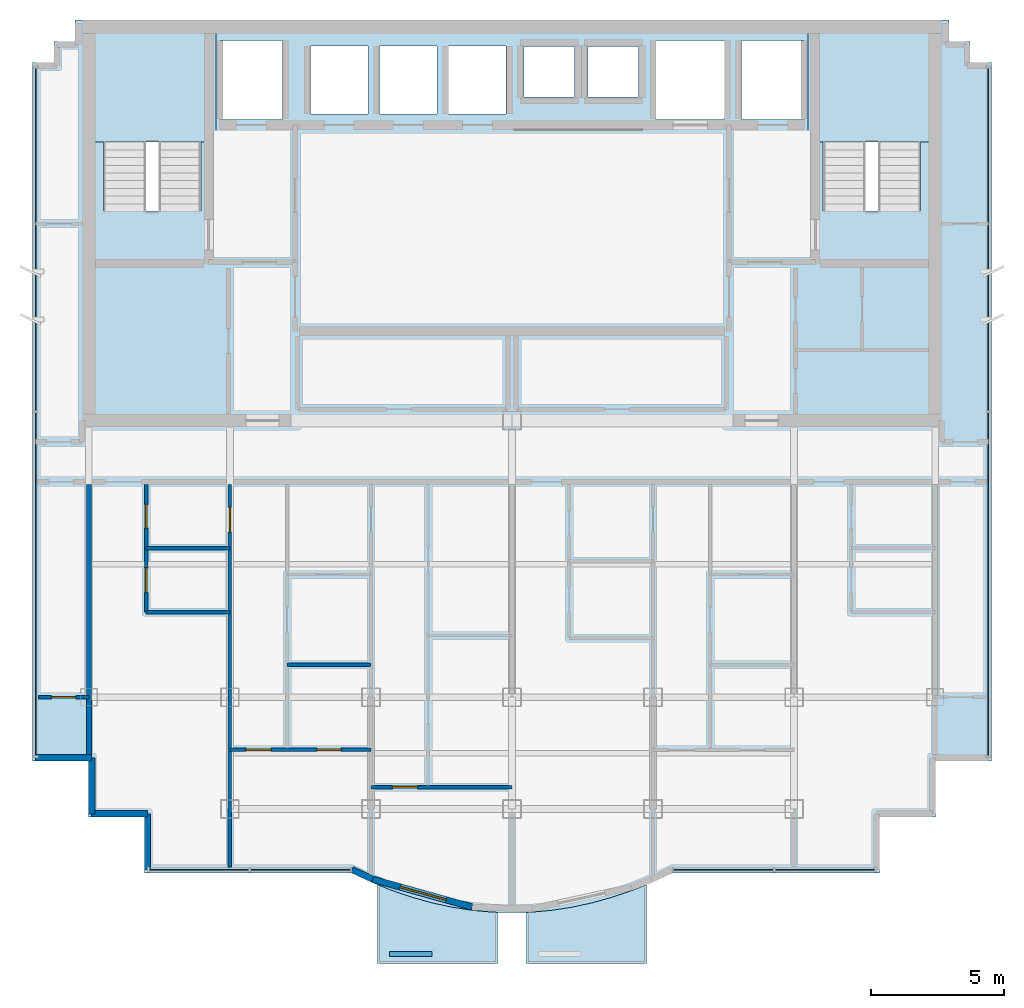
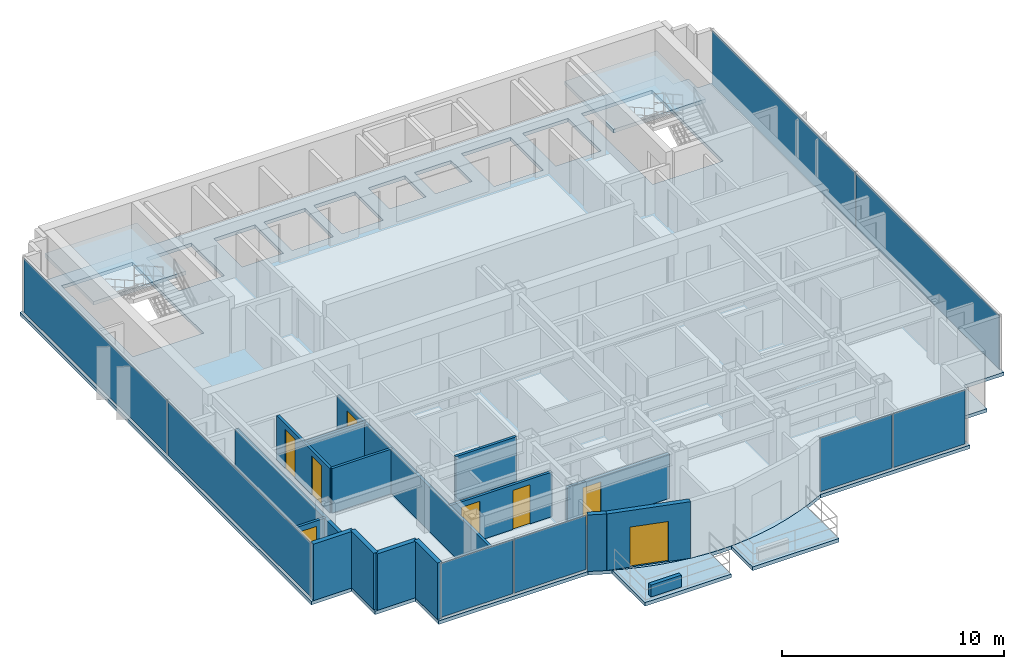
# One storey, part 5 of 11: 16 walls, 8 doors, 8 plates, 5 slabs, 8 openings, 6 elements without a shape of their own.
"""IFC4 building model written with IfcOpenShell, lengths in metres."""

from ifc_helpers import new_model, si_unit, direction, frame, frame_2d, origin, origin_2d, place, context, subcontext, project, spatial, polyline, rectangle, outline, extrude, source, transform, mapped, material, layer, layer_set, type_object, element, fill, aggregate, save


model = new_model("IFC4")

# Units and contexts
model_context = context("Model", 3, precision=1e-05, world=origin(), true_north=direction((0.0, 1.0)))
body_context = subcontext(model_context, "Body", "Model", "MODEL_VIEW")
ifc_project = project(units=[si_unit("LENGTHUNIT", "METRE"), si_unit("AREAUNIT", "SQUARE_METRE"), si_unit("VOLUMEUNIT", "CUBIC_METRE"), si_unit("PLANEANGLEUNIT", "RADIAN"), si_unit("MASSUNIT", "GRAM", prefix="KILO")], contexts=[model_context])

# Site, building, storey
site_placement = place(None, origin())
site = spatial("IfcSite", under=ifc_project, at=site_placement, CompositionType="ELEMENT")
building_placement = place(site_placement, origin())
building = spatial("IfcBuilding", under=site, at=building_placement, Name="Qianlan Lanfeng Residences", CompositionType="ELEMENT")
storey_placement = place(building_placement, frame((0.0, 0.0, 256.10009765625)))
storey = spatial("IfcBuildingStorey", under=building, at=storey_placement, Name="L71", CompositionType="ELEMENT", Elevation=256.10009765625)

# Slabs
ifc_material_1 = material(Name="Concrete C42", Category="concrete")
ifc_layer_1 = layer(ifc_material_1, 0.199951171875)
ifc_layer_set_1 = layer_set([ifc_layer_1], Name="Concrete C42")
slab_type_1 = type_object("IfcSlabType", Name="S-BAL-200", PredefinedType="FLOOR", material=ifc_layer_set_1)
slab_1_placement = place(storey_placement, frame((0.0, 0.0, -0.2001953125)))
element("IfcSlab", 1, at=slab_1_placement, inside=storey, type_object=slab_type_1, Name="L71 Planted Tree Balcony Slab SB-W", PredefinedType="FLOOR", context=body_context, shape_type="SweptSolid", body=[
    extrude(outline(polyline([(25.949951171875, 6.717041015625), (25.7451171875, 6.722900390625), (24.989990234375, 6.7939453125), (24.235107421875, 6.910888671875), (23.47998046875, 7.074951171875), (22.72509765625, 7.285888671875), (21.969970703125, 7.5439453125), (21.449951171875, 7.7529296875), (21.449951171875, 4.800048828125), (25.949951171875, 4.800048828125), (25.949951171875, 6.717041015625)])), origin(), (0.0, 0.0, 1.0), 0.2001953125),
])
slab_2_placement = place(storey_placement, frame((0.0, 0.0, -0.2001953125)))
element("IfcSlab", 2, at=slab_2_placement, inside=storey, type_object=slab_type_1, Name="L71 Planted Tree Balcony Slab SB-E", PredefinedType="FLOOR", context=body_context, shape_type="SweptSolid", body=[
    extrude(outline(polyline([(31.550048828125, 7.7529296875), (31.030029296875, 7.5439453125), (30.27490234375, 7.285888671875), (29.52001953125, 7.074951171875), (28.764892578125, 6.910888671875), (28.010009765625, 6.7939453125), (27.2548828125, 6.722900390625), (27.050048828125, 6.717041015625), (27.050048828125, 4.800048828125), (31.550048828125, 4.800048828125), (31.550048828125, 7.7529296875)])), origin(), (0.0, 0.0, 1.0), 0.2001953125),
])
ifc_layer_2 = layer(ifc_material_1, 0.18994140625)
ifc_layer_set_2 = layer_set([ifc_layer_2], Name="Concrete C42")
slab_type_2 = type_object("IfcSlabType", Name="S-FL-190", PredefinedType="FLOOR", material=ifc_layer_set_2)
slab_3_placement = place(storey_placement, frame((0.0, 0.0, -0.190185546875)))
element("IfcSlab", 3, at=slab_3_placement, inside=storey, type_object=slab_type_2, Name="L71 Structural Floor Slab", PredefinedType="FLOOR", context=body_context, shape_type="SweptSolid", body=[
    extrude(outline(polyline([(8.47998046875, 12.39990234375), (10.580078125, 12.39990234375), (10.580078125, 10.300048828125), (12.679931640625, 10.300048828125), (12.679931640625, 8.199951171875), (20.4599609375, 8.199951171875), (21.215087890625, 7.847900390625), (21.969970703125, 7.5439453125), (22.72509765625, 7.285888671875), (23.47998046875, 7.074951171875), (24.235107421875, 6.910888671875), (24.989990234375, 6.7939453125), (25.7451171875, 6.722900390625), (26.5, 6.699951171875), (27.2548828125, 6.722900390625), (28.010009765625, 6.7939453125), (28.764892578125, 6.910888671875), (29.52001953125, 7.074951171875), (30.27490234375, 7.285888671875), (31.030029296875, 7.5439453125), (31.784912109375, 7.847900390625), (32.5400390625, 8.199951171875), (40.320068359375, 8.199951171875), (40.320068359375, 10.300048828125), (42.419921875, 10.300048828125), (42.419921875, 12.39990234375), (44.52001953125, 12.39990234375), (44.52001953125, 38.64990234375), (43.719970703125, 38.64990234375), (43.719970703125, 39.449951171875), (42.919921875, 39.449951171875), (42.919921875, 40.25), (10.080078125, 40.25), (10.080078125, 39.449951171875), (9.280029296875, 39.449951171875), (9.280029296875, 38.64990234375), (8.47998046875, 38.64990234375), (8.47998046875, 12.39990234375)]), holes=[polyline([(11.139892578125, 33.080078125), (11.139892578125, 39.5), (14.820068359375, 39.5), (14.820068359375, 33.080078125), (11.139892578125, 33.080078125)]), polyline([(38.179931640625, 33.080078125), (38.179931640625, 39.5), (41.860107421875, 39.5), (41.860107421875, 33.080078125), (38.179931640625, 33.080078125)]), polyline([(15.52001953125, 36.52001953125), (15.52001953125, 39.47998046875), (17.8798828125, 39.47998046875), (17.8798828125, 36.52001953125), (15.52001953125, 36.52001953125)]), polyline([(35.1201171875, 36.52001953125), (35.1201171875, 39.47998046875), (37.47998046875, 39.47998046875), (37.47998046875, 36.52001953125), (35.1201171875, 36.52001953125)]), polyline([(31.919921875, 36.52001953125), (31.919921875, 39.47998046875), (34.47998046875, 39.47998046875), (34.47998046875, 36.52001953125), (31.919921875, 36.52001953125)]), polyline([(18.919921875, 36.719970703125), (18.919921875, 39.280029296875), (21.080078125, 39.280029296875), (21.080078125, 36.719970703125), (18.919921875, 36.719970703125)]), polyline([(21.52001953125, 36.719970703125), (21.52001953125, 39.280029296875), (23.679931640625, 39.280029296875), (23.679931640625, 36.719970703125), (21.52001953125, 36.719970703125)]), polyline([(24.1201171875, 36.719970703125), (24.1201171875, 39.280029296875), (26.280029296875, 39.280029296875), (26.280029296875, 36.719970703125), (24.1201171875, 36.719970703125)]), polyline([(26.949951171875, 37.35009765625), (26.949951171875, 39.25), (28.85009765625, 39.25), (28.85009765625, 37.35009765625), (26.949951171875, 37.35009765625)]), polyline([(29.35009765625, 37.35009765625), (29.35009765625, 39.25), (31.25, 39.25), (31.25, 37.35009765625), (29.35009765625, 37.35009765625)])]), origin(), (0.0, 0.0, 1.0), 0.190185546875),
])

# Stair, slab
stair_type = type_object("IfcStairType", Name="STR-MAIN", PredefinedType="HALF_TURN_STAIR", material=ifc_material_1)
stair_1_placement = place(storey_placement, origin())
stair_1 = element("IfcStair", 4, at=stair_1_placement, inside=storey, type_object=stair_type, Name="L71 Exit Stair ST-1", PredefinedType="HALF_TURN_STAIR")
ifc_layer_3 = layer(ifc_material_1, 0.179931640625)
ifc_layer_set_3 = layer_set([ifc_layer_3], Name="Concrete C42")
slab_type_3 = type_object("IfcSlabType", Name="S-LND-180", PredefinedType="LANDING", material=ifc_layer_set_3)
slab_4_placement = place(storey_placement, frame((0.0, 0.0, 1.449951171875)))
slab_4 = element("IfcSlab", 5, at=slab_4_placement, type_object=slab_type_3, Name="ST-1 landing 1", PredefinedType="LANDING", context=body_context, shape_type="SweptSolid", body=[
    extrude(outline(polyline([(10.580078125, 35.659912109375), (15.3798828125, 35.659912109375), (15.3798828125, 40.050048828125), (10.580078125, 40.050048828125), (10.580078125, 35.659912109375)])), origin(), (0.0, 0.0, 1.0), 0.199951171875),
])
aggregate(stair_1, [slab_4])

stair_2_placement = place(storey_placement, origin())
stair_2 = element("IfcStair", 6, at=stair_2_placement, inside=storey, type_object=stair_type, Name="L71 Exit Stair ST-2", PredefinedType="HALF_TURN_STAIR")
slab_5_placement = place(storey_placement, frame((0.0, 0.0, 1.449951171875)))
slab_5 = element("IfcSlab", 7, at=slab_5_placement, type_object=slab_type_3, Name="ST-2 landing 1", PredefinedType="LANDING", context=body_context, shape_type="SweptSolid", body=[
    extrude(outline(polyline([(37.6201171875, 35.659912109375), (42.419921875, 35.659912109375), (42.419921875, 40.050048828125), (37.6201171875, 40.050048828125), (37.6201171875, 35.659912109375)])), origin(), (0.0, 0.0, 1.0), 0.199951171875),
])
aggregate(stair_2, [slab_5])

# Curtain wall, plates
ifc_material_2 = material(Name="Anodised Bronze Aluminium 6063-T6", Category="aluminium")
ifc_layer_4 = layer(ifc_material_2, 0.219970703125)
ifc_layer_set_4 = layer_set([ifc_layer_4], Name="Anodised Bronze Aluminium 6063-T6")
curtain_wall_type = type_object("IfcCurtainWallType", Name="CW-06", PredefinedType="NOTDEFINED", material=ifc_layer_set_4)
curtain_wall_1_placement = place(storey_placement, origin())
curtain_wall_1 = element("IfcCurtainWall", 8, at=curtain_wall_1_placement, inside=storey, type_object=curtain_wall_type, Name="L71 Unitised Curtain Wall CWR-L71-01 (CW-06)", PredefinedType="NOTDEFINED")
ifc_material_3 = material(Name="Dark Bronze Tinted Insulated Glass", Category="glass")
ifc_layer_5 = layer(ifc_material_3, 0.0380859375)
ifc_layer_set_5 = layer_set([ifc_layer_5], Name="Dark Bronze Tinted Insulated Glass")
plate_type_1 = type_object("IfcPlateType", Name="PNL-GLZ-BRZ", PredefinedType="CURTAIN_PANEL", material=ifc_layer_set_5)
shared_shape_1 = source(origin(), body_context, "Body", "SweptSolid", [
    extrude(rectangle(XDim=3.73291015625, YDim=0.0380859375, at=origin_2d()), origin(), (0.0, 0.0, 1.0), 2.9619140625),
])
plate_1_placement = place(storey_placement, frame((14.740478515625, 8.320068359375, 0.073974609375), z_axis=(0.0, 0.0, 1.0), x_axis=(1.0, 0.0, 0.0)))
plate_1 = element("IfcPlate", 9, at=plate_1_placement, type_object=plate_type_1, Name="CWR-L71-01 Curtain Panel 1", PredefinedType="CURTAIN_PANEL", context=body_context, shape_type="MappedRepresentation", body=[
    mapped(shared_shape_1, transform((0.0, 0.0, 0.0), scale=1.0)),
])
plate_2_placement = place(storey_placement, frame((18.54638671875, 8.320068359375, 0.073974609375), z_axis=(0.0, 0.0, 1.0), x_axis=(1.0, 0.0, 0.0)))
plate_2 = element("IfcPlate", 10, at=plate_2_placement, type_object=plate_type_1, Name="CWR-L71-01 Curtain Panel 2", PredefinedType="CURTAIN_PANEL", context=body_context, shape_type="MappedRepresentation", body=[
    mapped(shared_shape_1, transform((0.0, 0.0, 0.0), scale=1.0)),
])
aggregate(curtain_wall_1, [plate_1, plate_2])

curtain_wall_2_placement = place(storey_placement, origin())
curtain_wall_2 = element("IfcCurtainWall", 11, at=curtain_wall_2_placement, inside=storey, type_object=curtain_wall_type, Name="L71 Unitised Curtain Wall CWR-L71-02 (CW-06)", PredefinedType="NOTDEFINED")
plate_3_placement = place(storey_placement, frame((34.45361328125, 8.320068359375, 0.073974609375), z_axis=(0.0, 0.0, 1.0), x_axis=(1.0, 0.0, 0.0)))
plate_3 = element("IfcPlate", 12, at=plate_3_placement, type_object=plate_type_1, Name="CWR-L71-02 Curtain Panel 1", PredefinedType="CURTAIN_PANEL", context=body_context, shape_type="MappedRepresentation", body=[
    mapped(shared_shape_1, transform((0.0, 0.0, 0.0), scale=1.0)),
])
ifc_material_4 = material(Name="Perforated Anodised Bronze Aluminium Panel", Category="aluminium")
ifc_layer_6 = layer(ifc_material_4, 0.0419921875)
ifc_layer_set_6 = layer_set([ifc_layer_6], Name="Perforated Anodised Bronze Aluminium Panel")
plate_type_2 = type_object("IfcPlateType", Name="PNL-PRF-BRZ", PredefinedType="CURTAIN_PANEL", material=ifc_layer_set_6)
shared_shape_2 = source(origin(), body_context, "Body", "SweptSolid", [
    extrude(rectangle(XDim=3.73291015625, YDim=0.0419921875, at=origin_2d()), origin(), (0.0, 0.0, 1.0), 2.9619140625),
])
plate_4_placement = place(storey_placement, frame((38.259521484375, 8.320068359375, 0.073974609375), z_axis=(0.0, 0.0, 1.0), x_axis=(1.0, 0.0, 0.0)))
plate_4 = element("IfcPlate", 13, at=plate_4_placement, type_object=plate_type_2, Name="CWR-L71-02 Curtain Panel 2", PredefinedType="CURTAIN_PANEL", context=body_context, shape_type="MappedRepresentation", body=[
    mapped(shared_shape_2, transform((0.0, 0.0, 0.0), scale=1.0)),
])
aggregate(curtain_wall_2, [plate_3, plate_4])

curtain_wall_3_placement = place(storey_placement, origin())
curtain_wall_3 = element("IfcCurtainWall", 14, at=curtain_wall_3_placement, inside=storey, type_object=curtain_wall_type, Name="L71 Unitised Curtain Wall CWR-L71-03 (CW-06)", PredefinedType="NOTDEFINED")
shared_shape_3 = source(origin(), body_context, "Body", "SweptSolid", [
    extrude(rectangle(XDim=12.89453125, YDim=0.0380859375, at=origin_2d()), origin(), (0.0, 0.0, 1.0), 2.9619140625),
])
plate_5_placement = place(storey_placement, frame((44.39990234375, 19.041259765625, 0.073974609375), z_axis=(0.0, 0.0, 1.0), x_axis=(0.0, 1.0, 0.0)))
plate_5 = element("IfcPlate", 15, at=plate_5_placement, type_object=plate_type_1, Name="CWR-L71-03 Curtain Panel 1", PredefinedType="CURTAIN_PANEL", context=body_context, shape_type="MappedRepresentation", body=[
    mapped(shared_shape_3, transform((0.0, 0.0, 0.0), scale=1.0)),
])
plate_6_placement = place(storey_placement, frame((44.39990234375, 32.0087890625, 0.073974609375), z_axis=(0.0, 0.0, 1.0), x_axis=(0.0, 1.0, 0.0)))
plate_6 = element("IfcPlate", 16, at=plate_6_placement, type_object=plate_type_1, Name="CWR-L71-03 Curtain Panel 2", PredefinedType="CURTAIN_PANEL", context=body_context, shape_type="MappedRepresentation", body=[
    mapped(shared_shape_3, transform((0.0, 0.0, 0.0), scale=1.0)),
])
aggregate(curtain_wall_3, [plate_5, plate_6])

curtain_wall_4_placement = place(storey_placement, origin())
curtain_wall_4 = element("IfcCurtainWall", 17, at=curtain_wall_4_placement, inside=storey, type_object=curtain_wall_type, Name="L71 Unitised Curtain Wall CWR-L71-04 (CW-06)", PredefinedType="NOTDEFINED")
plate_7_placement = place(storey_placement, frame((8.60009765625, 32.0087890625, 0.073974609375), z_axis=(0.0, 0.0, 1.0), x_axis=(0.0, -1.0, 0.0)))
plate_7 = element("IfcPlate", 18, at=plate_7_placement, type_object=plate_type_1, Name="CWR-L71-04 Curtain Panel 1", PredefinedType="CURTAIN_PANEL", context=body_context, shape_type="MappedRepresentation", body=[
    mapped(shared_shape_3, transform((0.0, 0.0, 0.0), scale=1.0)),
])
shared_shape_4 = source(origin(), body_context, "Body", "SweptSolid", [
    extrude(rectangle(XDim=12.89453125, YDim=0.0419921875, at=origin_2d()), origin(), (0.0, 0.0, 1.0), 2.9619140625),
])
plate_8_placement = place(storey_placement, frame((8.60009765625, 19.041259765625, 0.073974609375), z_axis=(0.0, 0.0, 1.0), x_axis=(0.0, -1.0, 0.0)))
plate_8 = element("IfcPlate", 19, at=plate_8_placement, type_object=plate_type_2, Name="CWR-L71-04 Curtain Panel 2", PredefinedType="CURTAIN_PANEL", context=body_context, shape_type="MappedRepresentation", body=[
    mapped(shared_shape_4, transform((0.0, 0.0, 0.0), scale=1.0)),
])
aggregate(curtain_wall_4, [plate_7, plate_8])

# Walls
ifc_layer_7 = layer(ifc_material_1, 0.239990234375)
ifc_layer_set_7 = layer_set([ifc_layer_7], Name="Concrete C42")
wall_type_1 = type_object("IfcWallType", Name="EW-240", PredefinedType="SOLIDWALL", material=ifc_layer_set_7)
wall_1_placement = place(storey_placement, frame((8.60009765625, 12.52001953125, 0.0), z_axis=(0.0, 0.0, 1.0), x_axis=(1.0, 0.0, 0.0)))
element("IfcWall", 20, at=wall_1_placement, inside=storey, type_object=wall_type_1, Name="L71 Exterior Facade Spandrel Wall 1", PredefinedType="SOLIDWALL", context=body_context, shape_type="SweptSolid", body=[
    extrude(rectangle(XDim=2.099853515625, YDim=0.239990234375, at=frame_2d((1.0498046875, 0.0))), origin(), (0.0, 0.0, 1.0), 3.10986328125),
])
for number, where, z_axis, x_axis, name in (
    (21, (10.699951171875, 12.52001953125, 0.0), (0.0, 0.0, 1.0), (0.0, -1.0, 0.0), "L71 Exterior Facade Spandrel Wall 2"),
    (22, (10.699951171875, 10.419921875, 0.0), (0.0, 0.0, 1.0), (1.0, 0.0, 0.0), "L71 Exterior Facade Spandrel Wall 3"),
):
    element("IfcWall", number, at=place(storey_placement, frame(where, z_axis=z_axis, x_axis=x_axis)), inside=storey, type_object=wall_type_1, Name=name, PredefinedType="SOLIDWALL", context=body_context, shape_type="SweptSolid", body=[
        extrude(rectangle(XDim=2.10009765625, YDim=0.239990234375, at=frame_2d((1.050048828125, 0.0))), origin(), (0.0, 0.0, 1.0), 3.10986328125),
    ])
wall_2_placement = place(storey_placement, frame((12.800048828125, 10.419921875, 0.0), z_axis=(0.0, 0.0, 1.0), x_axis=(0.0, -1.0, 0.0)))
element("IfcWall", 23, at=wall_2_placement, inside=storey, type_object=wall_type_1, Name="L71 Exterior Facade Spandrel Wall 4", PredefinedType="SOLIDWALL", context=body_context, shape_type="SweptSolid", body=[
    extrude(rectangle(XDim=2.099853515625, YDim=0.239990234375, at=frame_2d((1.0498046875, 0.0))), origin(), (0.0, 0.0, 1.0), 3.10986328125),
])
wall_3_placement = place(storey_placement, frame((20.487060546875, 8.320068359375, 0.0), z_axis=(0.0, 0.0, 1.0), x_axis=(0.906190424584, -0.422869855147, 0.0)))
element("IfcWall", 24, at=wall_3_placement, inside=storey, type_object=wall_type_1, Name="L71 Exterior Facade Spandrel Wall 5", PredefinedType="SOLIDWALL", context=body_context, shape_type="SweptSolid", body=[
    extrude(rectangle(XDim=0.856201171875, YDim=0.239990234375, at=frame_2d((0.42822265625, 0.0))), origin(), (0.0, 0.0, 1.0), 3.10986328125),
])

# Wall, opening, door
wall_4_placement = place(storey_placement, frame((21.262939453125, 7.9580078125, 0.0), z_axis=(0.0, 0.0, 1.0), x_axis=(0.963152398068, -0.268956238255, 0.0)))
wall_4 = element("IfcWall", 25, at=wall_4_placement, inside=storey, type_object=wall_type_1, Name="L71 Terrace/Balcony Access Exterior Wall 6", PredefinedType="SOLIDWALL", context=body_context, shape_type="SweptSolid", body=[
    extrude(rectangle(XDim=3.885009765625, YDim=0.239990234375, at=frame_2d((1.9423828125, 0.0))), origin(), (0.0, 0.0, 1.0), 3.10986328125),
])
opening_1_placement = place(wall_4_placement, frame((1.073974609375, 0.0, 0.0)))
opening_1 = element("IfcOpeningElement", 26, at=opening_1_placement, cuts=wall_4, Name="Opening L71-D-SB-W", PredefinedType="OPENING", context=body_context, shape_type="SweptSolid", body=[
    extrude(rectangle(XDim=1.800048828125, YDim=2.199951171875, at=frame_2d((0.89990234375, 1.10009765625))), frame((0.0, 0.1298828125, 0.0), z_axis=(0.0, -1.0, 0.0), x_axis=(1.0, 0.0, 0.0)), (0.0, 0.0, 1.0), 0.260009765625),
])
ifc_material_5 = material(Name="Anodised Bronze Aluminium Framed Glass", Category="aluminium")
door_type_1 = type_object("IfcDoorType", Name="DT-BAL1", OperationType="NOTDEFINED", PredefinedType="DOOR", material=ifc_material_5)
door_1_placement = place(opening_1_placement, frame((1.800048828125, 0.0, 0.0), z_axis=(0.0, 0.0, 1.0), x_axis=(-1.0, 0.0, 0.0)))
door_1 = element("IfcDoor", 27, at=door_1_placement, inside=storey, type_object=door_type_1, Name="L71 Exterior Access Door SB-W", OperationType="DOUBLE_DOOR_SLIDING", OverallHeight=2.199951171875, OverallWidth=1.800048828125, PredefinedType="DOOR", context=body_context, shape_type="SweptSolid", body=[
    extrude(rectangle(XDim=1.800048828125, YDim=2.199951171875, at=frame_2d((0.89990234375, 1.10009765625))), frame((0.0, 0.02490234375, 0.0), z_axis=(0.0, -1.0, 0.0), x_axis=(1.0, 0.0, 0.0)), (0.0, 0.0, 1.0), 0.050048828125),
])
fill(opening_1, door_1)

# Wall
ifc_layer_8 = layer(ifc_material_1, 0.199951171875)
ifc_layer_set_8 = layer_set([ifc_layer_8], Name="Concrete C42")
wall_type_2 = type_object("IfcWallType", Name="PL-TREE-200", PredefinedType="PARAPET", material=ifc_layer_set_8)
wall_5_placement = place(storey_placement, frame((21.89990234375, 5.14990234375, 0.0), z_axis=(0.0, 0.0, 1.0), x_axis=(1.0, 0.0, 0.0)))
element("IfcWall", 28, at=wall_5_placement, inside=storey, type_object=wall_type_2, Name="L71 Balcony Tree Planter Curb SB-W", PredefinedType="PARAPET", context=body_context, shape_type="SweptSolid", body=[
    extrude(rectangle(XDim=1.60009765625, YDim=0.199951171875, at=frame_2d((0.800048828125, 0.0))), origin(), (0.0, 0.0, 1.0), 0.64990234375),
])

# Wall, opening, door
ifc_material_6 = material(Name="Moisture-Resistant Gypsum Partition 135 mm")
ifc_layer_9 = layer(ifc_material_6, 0.135009765625)
ifc_layer_set_9 = layer_set([ifc_layer_9], Name="Moisture-Resistant Gypsum Partition 135 mm")
wall_type_3 = type_object("IfcWallType", Name="PW-135", PredefinedType="PARTITIONING", material=ifc_layer_set_9)
wall_6_placement = place(storey_placement, frame((15.89990234375, 8.419921875, 0.0), z_axis=(0.0, 0.0, 1.0), x_axis=(0.0, 1.0, 0.0)))
wall_6 = element("IfcWall", 29, at=wall_6_placement, inside=storey, type_object=wall_type_3, Name="L71 U01 Bay Spine Wall 1", PredefinedType="PARTITIONING", context=body_context, shape_type="SweptSolid", body=[
    extrude(rectangle(XDim=14.380126953125, YDim=0.135009765625, at=frame_2d((7.18994140625, 0.0))), origin(), (0.0, 0.0, 1.0), 2.449951171875),
])
opening_2_placement = place(wall_6_placement, frame((12.594970703125, 0.0, 0.0)))
opening_2 = element("IfcOpeningElement", 30, at=opening_2_placement, cuts=wall_6, Name="Opening L71-D18", PredefinedType="OPENING", context=body_context, shape_type="SweptSolid", body=[
    extrude(rectangle(XDim=0.919921875, YDim=2.14990234375, at=frame_2d((0.4599609375, 1.074951171875))), frame((0.0, 0.07763671875, 0.0), z_axis=(0.0, -1.0, 0.0), x_axis=(1.0, 0.0, 0.0)), (0.0, 0.0, 1.0), 0.155029296875),
])
ifc_material_7 = material(Name="Glazed Timber Kitchen/Study Door", Category="wood")
door_type_2 = type_object("IfcDoorType", Name="DT-INT", OperationType="NOTDEFINED", PredefinedType="DOOR", material=ifc_material_7)
door_2_placement = place(opening_2_placement, origin())
door_2 = element("IfcDoor", 31, at=door_2_placement, inside=storey, type_object=door_type_2, Name="L71 U01 Internal Hall Door L71-D18 (DT-INT)", OperationType="SINGLE_SWING_RIGHT", OverallHeight=2.14990234375, OverallWidth=0.919921875, PredefinedType="DOOR", context=body_context, shape_type="SweptSolid", body=[
    extrude(rectangle(XDim=0.919921875, YDim=2.14990234375, at=frame_2d((0.4599609375, 1.074951171875))), frame((0.0, 0.02490234375, 0.0), z_axis=(0.0, -1.0, 0.0), x_axis=(1.0, 0.0, 0.0)), (0.0, 0.0, 1.0), 0.050048828125),
])
fill(opening_2, door_2)

# Wall, openings, doors
wall_7_placement = place(storey_placement, frame((12.75, 18.0, 0.0), z_axis=(0.0, 0.0, 1.0), x_axis=(0.0, 1.0, 0.0)))
wall_7 = element("IfcWall", 32, at=wall_7_placement, inside=storey, type_object=wall_type_3, Name="L71 U01 Wet Stack Spine", PredefinedType="PARTITIONING", context=body_context, shape_type="SweptSolid", body=[
    extrude(rectangle(XDim=4.800048828125, YDim=0.135009765625, at=frame_2d((2.39990234375, 0.0))), origin(), (0.0, 0.0, 1.0), 2.449951171875),
])
opening_3_placement = place(wall_7_placement, frame((0.739990234375, 0.0, 0.0)))
opening_3 = element("IfcOpeningElement", 33, at=opening_3_placement, cuts=wall_7, Name="Opening L71-D20", PredefinedType="OPENING", context=body_context, shape_type="SweptSolid", body=[
    extrude(rectangle(XDim=0.919921875, YDim=2.14990234375, at=frame_2d((0.4599609375, 1.074951171875))), frame((0.0, 0.07763671875, 0.0), z_axis=(0.0, -1.0, 0.0), x_axis=(1.0, 0.0, 0.0)), (0.0, 0.0, 1.0), 0.155029296875),
])
opening_4_placement = place(wall_7_placement, frame((3.14990234375, 0.0, 0.0)))
opening_4 = element("IfcOpeningElement", 34, at=opening_4_placement, cuts=wall_7, Name="Opening L71-D21", PredefinedType="OPENING", context=body_context, shape_type="SweptSolid", body=[
    extrude(rectangle(XDim=0.89990234375, YDim=2.14990234375, at=frame_2d((0.449951171875, 1.074951171875))), frame((0.0, 0.07763671875, 0.0), z_axis=(0.0, -1.0, 0.0), x_axis=(1.0, 0.0, 0.0)), (0.0, 0.0, 1.0), 0.155029296875),
])
door_3_placement = place(opening_3_placement, origin())
door_3 = element("IfcDoor", 35, at=door_3_placement, inside=storey, type_object=door_type_2, Name="L71 U01 Kitchen Door L71-D20 (DT-INT)", OperationType="SINGLE_SWING_RIGHT", OverallHeight=2.14990234375, OverallWidth=0.919921875, PredefinedType="DOOR", context=body_context, shape_type="SweptSolid", body=[
    extrude(rectangle(XDim=0.919921875, YDim=2.14990234375, at=frame_2d((0.4599609375, 1.074951171875))), frame((0.0, 0.02490234375, 0.0), z_axis=(0.0, -1.0, 0.0), x_axis=(1.0, 0.0, 0.0)), (0.0, 0.0, 1.0), 0.050048828125),
])
fill(opening_3, door_3)
ifc_material_8 = material(Name="Moisture-Resistant Timber Leaf", Category="wood")
door_type_3 = type_object("IfcDoorType", Name="DT-WC", OperationType="NOTDEFINED", PredefinedType="DOOR", material=ifc_material_8)
door_4_placement = place(opening_4_placement, origin())
door_4 = element("IfcDoor", 36, at=door_4_placement, inside=storey, type_object=door_type_3, Name="L71 U01 Bathroom Door L71-D21 (DT-WC)", OperationType="SINGLE_SWING_LEFT", OverallHeight=2.14990234375, OverallWidth=0.89990234375, PredefinedType="DOOR", context=body_context, shape_type="SweptSolid", body=[
    extrude(rectangle(XDim=0.89990234375, YDim=2.14990234375, at=frame_2d((0.449951171875, 1.074951171875))), frame((0.0, 0.02490234375, 0.0), z_axis=(0.0, -1.0, 0.0), x_axis=(1.0, 0.0, 0.0)), (0.0, 0.0, 1.0), 0.050048828125),
])
fill(opening_4, door_4)

# Walls
for number, where, z_axis, x_axis, name in (
    (37, (12.75, 18.0, 0.0), (0.0, 0.0, 1.0), (1.0, 0.0, 0.0), "L71 U01 Kitchen South Wall"),
    (38, (12.75, 20.39990234375, 0.0), (0.0, 0.0, 1.0), (1.0, 0.0, 0.0), "L71 U01 Bathroom South Wall"),
):
    element("IfcWall", number, at=place(storey_placement, frame(where, z_axis=z_axis, x_axis=x_axis)), inside=storey, type_object=wall_type_3, Name=name, PredefinedType="PARTITIONING", context=body_context, shape_type="SweptSolid", body=[
        extrude(rectangle(XDim=3.14990234375, YDim=0.135009765625, at=frame_2d((1.574951171875, 0.0))), origin(), (0.0, 0.0, 1.0), 2.449951171875),
    ])

# Wall, openings, doors
wall_8_placement = place(storey_placement, frame((15.89990234375, 12.820068359375, 0.0), z_axis=(0.0, 0.0, 1.0), x_axis=(1.0, 0.0, 0.0)))
wall_8 = element("IfcWall", 39, at=wall_8_placement, inside=storey, type_object=wall_type_3, Name="L71 U01 Master Bedroom North Wall", PredefinedType="PARTITIONING", context=body_context, shape_type="SweptSolid", body=[
    extrude(rectangle(XDim=5.300048828125, YDim=0.135009765625, at=frame_2d((2.64990234375, 0.0))), origin(), (0.0, 0.0, 1.0), 2.449951171875),
])
opening_5_placement = place(wall_8_placement, frame((0.60009765625, 0.0, 0.0)))
opening_5 = element("IfcOpeningElement", 40, at=opening_5_placement, cuts=wall_8, Name="Opening L71-D22", PredefinedType="OPENING", context=body_context, shape_type="SweptSolid", body=[
    extrude(rectangle(XDim=0.949951171875, YDim=2.14990234375, at=frame_2d((0.47509765625, 1.074951171875))), frame((0.0, 0.07763671875, 0.0), z_axis=(0.0, -1.0, 0.0), x_axis=(1.0, 0.0, 0.0)), (0.0, 0.0, 1.0), 0.155029296875),
])
opening_6_placement = place(wall_8_placement, frame((3.27490234375, 0.0, 0.0)))
opening_6 = element("IfcOpeningElement", 41, at=opening_6_placement, cuts=wall_8, Name="Opening L71-D23", PredefinedType="OPENING", context=body_context, shape_type="SweptSolid", body=[
    extrude(rectangle(XDim=0.89990234375, YDim=2.14990234375, at=frame_2d((0.449951171875, 1.074951171875))), frame((0.0, 0.07763671875, 0.0), z_axis=(0.0, -1.0, 0.0), x_axis=(1.0, 0.0, 0.0)), (0.0, 0.0, 1.0), 0.155029296875),
])
ifc_material_9 = material(Name="Painted Solid-Core Timber Leaf", Category="wood")
door_type_4 = type_object("IfcDoorType", Name="DT-BED", OperationType="NOTDEFINED", PredefinedType="DOOR", material=ifc_material_9)
door_5_placement = place(opening_5_placement, frame((0.949951171875, 0.0, 0.0), z_axis=(0.0, 0.0, 1.0), x_axis=(-1.0, 0.0, 0.0)))
door_5 = element("IfcDoor", 42, at=door_5_placement, inside=storey, type_object=door_type_4, Name="L71 U01 Master Bedroom Door L71-D22 (DT-BED)", OperationType="SINGLE_SWING_RIGHT", OverallHeight=2.14990234375, OverallWidth=0.949951171875, PredefinedType="DOOR", context=body_context, shape_type="SweptSolid", body=[
    extrude(rectangle(XDim=0.949951171875, YDim=2.14990234375, at=frame_2d((0.47509765625, 1.074951171875))), frame((0.0, 0.02490234375, 0.0), z_axis=(0.0, -1.0, 0.0), x_axis=(1.0, 0.0, 0.0)), (0.0, 0.0, 1.0), 0.050048828125),
])
fill(opening_5, door_5)
door_6_placement = place(opening_6_placement, origin())
door_6 = element("IfcDoor", 43, at=door_6_placement, inside=storey, type_object=door_type_3, Name="L71 U01 En-Suite Bathroom Door L71-D23 (DT-WC)", OperationType="SINGLE_SWING_LEFT", OverallHeight=2.14990234375, OverallWidth=0.89990234375, PredefinedType="DOOR", context=body_context, shape_type="SweptSolid", body=[
    extrude(rectangle(XDim=0.89990234375, YDim=2.14990234375, at=frame_2d((0.449951171875, 1.074951171875))), frame((0.0, 0.02490234375, 0.0), z_axis=(0.0, -1.0, 0.0), x_axis=(1.0, 0.0, 0.0)), (0.0, 0.0, 1.0), 0.050048828125),
])
fill(opening_6, door_6)

# Wall
wall_9_placement = place(storey_placement, frame((18.050048828125, 16.02001953125, 0.0), z_axis=(0.0, 0.0, 1.0), x_axis=(1.0, 0.0, 0.0)))
element("IfcWall", 44, at=wall_9_placement, inside=storey, type_object=wall_type_3, Name="L71 U01 En-Suite North Wall", PredefinedType="PARTITIONING", context=body_context, shape_type="SweptSolid", body=[
    extrude(rectangle(XDim=3.14990234375, YDim=0.135009765625, at=frame_2d((1.574951171875, 0.0))), origin(), (0.0, 0.0, 1.0), 2.449951171875),
])

# Wall, opening, door
wall_10_placement = place(storey_placement, frame((21.199951171875, 11.419921875, 0.0), z_axis=(0.0, 0.0, 1.0), x_axis=(1.0, 0.0, 0.0)))
wall_10 = element("IfcWall", 45, at=wall_10_placement, inside=storey, type_object=wall_type_3, Name="L71 U01 Bedroom 2 North Wall", PredefinedType="PARTITIONING", context=body_context, shape_type="SweptSolid", body=[
    extrude(rectangle(XDim=5.300048828125, YDim=0.135009765625, at=frame_2d((2.64990234375, 0.0))), origin(), (0.0, 0.0, 1.0), 2.449951171875),
])
opening_7_placement = place(wall_10_placement, frame((0.800048828125, 0.0, 0.0)))
opening_7 = element("IfcOpeningElement", 46, at=opening_7_placement, cuts=wall_10, Name="Opening L71-D26", PredefinedType="OPENING", context=body_context, shape_type="SweptSolid", body=[
    extrude(rectangle(XDim=0.949951171875, YDim=2.14990234375, at=frame_2d((0.47509765625, 1.074951171875))), frame((0.0, 0.07763671875, 0.0), z_axis=(0.0, -1.0, 0.0), x_axis=(1.0, 0.0, 0.0)), (0.0, 0.0, 1.0), 0.155029296875),
])
door_7_placement = place(opening_7_placement, origin())
door_7 = element("IfcDoor", 47, at=door_7_placement, inside=storey, type_object=door_type_4, Name="L71 U01 Bedroom 2 Door L71-D26 (DT-BED)", OperationType="SINGLE_SWING_LEFT", OverallHeight=2.14990234375, OverallWidth=0.949951171875, PredefinedType="DOOR", context=body_context, shape_type="SweptSolid", body=[
    extrude(rectangle(XDim=0.949951171875, YDim=2.14990234375, at=frame_2d((0.47509765625, 1.074951171875))), frame((0.0, 0.02490234375, 0.0), z_axis=(0.0, -1.0, 0.0), x_axis=(1.0, 0.0, 0.0)), (0.0, 0.0, 1.0), 0.050048828125),
])
fill(opening_7, door_7)

wall_11_placement = place(storey_placement, frame((8.699951171875, 14.800048828125, 0.0), z_axis=(0.0, 0.0, 1.0), x_axis=(1.0, 0.0, 0.0)))
wall_11 = element("IfcWall", 48, at=wall_11_placement, inside=storey, type_object=wall_type_3, Name="L71 SWP Mid Partition", PredefinedType="PARTITIONING", context=body_context, shape_type="SweptSolid", body=[
    extrude(rectangle(XDim=1.900146484375, YDim=0.135009765625, at=frame_2d((0.9501953125, 0.0))), origin(), (0.0, 0.0, 1.0), 2.449951171875),
])
opening_8_placement = place(wall_11_placement, frame((0.489990234375, 0.0, 0.0)))
opening_8 = element("IfcOpeningElement", 49, at=opening_8_placement, cuts=wall_11, Name="Opening L71-D40", PredefinedType="OPENING", context=body_context, shape_type="SweptSolid", body=[
    extrude(rectangle(XDim=0.919921875, YDim=2.14990234375, at=frame_2d((0.4599609375, 1.074951171875))), frame((0.0, 0.07763671875, 0.0), z_axis=(0.0, -1.0, 0.0), x_axis=(1.0, 0.0, 0.0)), (0.0, 0.0, 1.0), 0.155029296875),
])
door_8_placement = place(opening_8_placement, origin())
door_8 = element("IfcDoor", 50, at=door_8_placement, inside=storey, type_object=door_type_2, Name="L71 SWP Inner Door L71-D40 (DT-INT)", OperationType="SINGLE_SWING_LEFT", OverallHeight=2.14990234375, OverallWidth=0.919921875, PredefinedType="DOOR", context=body_context, shape_type="SweptSolid", body=[
    extrude(rectangle(XDim=0.919921875, YDim=2.14990234375, at=frame_2d((0.4599609375, 1.074951171875))), frame((0.0, 0.02490234375, 0.0), z_axis=(0.0, -1.0, 0.0), x_axis=(1.0, 0.0, 0.0)), (0.0, 0.0, 1.0), 0.050048828125),
])
fill(opening_8, door_8)

# Wall
ifc_material_10 = material(Name="Double-Layer Acoustic Gypsum Stud Wall 180 mm")
ifc_layer_10 = layer(ifc_material_10, 0.179931640625)
ifc_layer_set_10 = layer_set([ifc_layer_10], Name="Double-Layer Acoustic Gypsum Stud Wall 180 mm")
wall_type_4 = type_object("IfcWallType", Name="PW-180", PredefinedType="PARTITIONING", material=ifc_layer_set_10)
wall_12_placement = place(storey_placement, frame((10.60009765625, 12.6201171875, 0.0), z_axis=(0.0, 0.0, 1.0), x_axis=(0.0, 1.0, 0.0)))
element("IfcWall", 51, at=wall_12_placement, inside=storey, type_object=wall_type_4, Name="L71 Wing Boundary Party Wall W0", PredefinedType="PARTITIONING", context=body_context, shape_type="SweptSolid", body=[
    extrude(rectangle(XDim=10.179931640625, YDim=0.179931640625, at=frame_2d((5.08984375, 0.0))), origin(), (0.0, 0.0, 1.0), 2.449951171875),
])

save(model, "model.ifc")
